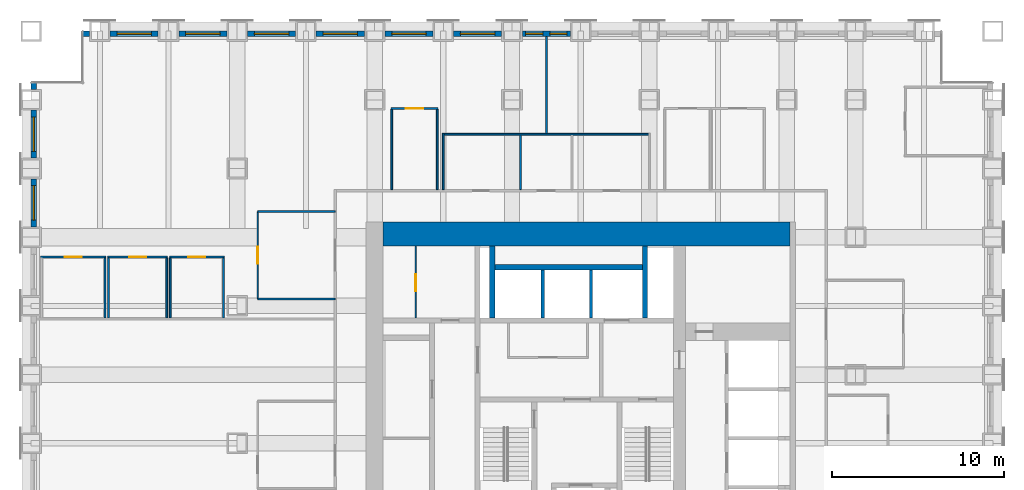
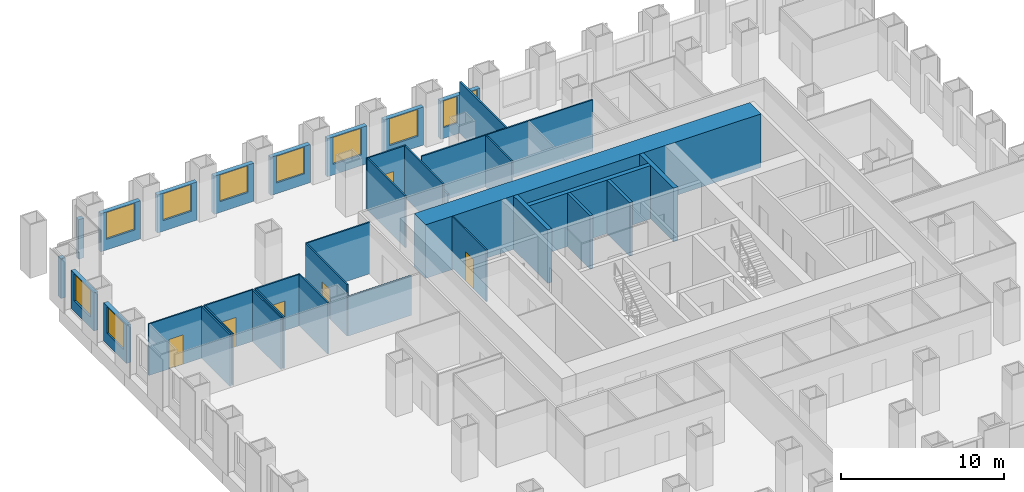
# One storey, part 11 of 14: 36 walls, 10 windows, 6 doors, 16 openings.
"""IFC4 building model written with IfcOpenShell, lengths in metres."""

from ifc_helpers import new_model, si_unit, direction, frame, frame_2d, origin, place, context, subcontext, project, spatial, rectangle, extrude, material, layer, layer_set, type_object, element, fill, save


model = new_model("IFC4")

# Units and contexts
model_context = context("Model", 3, precision=1e-05, world=origin(), true_north=direction((0.0, 1.0)))
body_context = subcontext(model_context, "Body", "Model", "MODEL_VIEW")
ifc_project = project(units=[si_unit("LENGTHUNIT", "METRE"), si_unit("AREAUNIT", "SQUARE_METRE"), si_unit("VOLUMEUNIT", "CUBIC_METRE"), si_unit("PLANEANGLEUNIT", "RADIAN"), si_unit("MASSUNIT", "GRAM", prefix="KILO")], contexts=[model_context])

# Site, building, storey
site_placement = place(None, origin())
site = spatial("IfcSite", under=ifc_project, at=site_placement, CompositionType="ELEMENT")
building_placement = place(site_placement, origin())
building = spatial("IfcBuilding", under=site, at=building_placement, Name="Rimbunsela Tower", CompositionType="ELEMENT")
storey_placement = place(building_placement, frame((0.0, 0.0, 59.0)))
storey = spatial("IfcBuildingStorey", under=building, at=storey_placement, Name="L14", CompositionType="ELEMENT", Elevation=59.0)

# Walls
ifc_material_1 = material(Name="Concrete fc' 80 MPa", Category="concrete")
ifc_layer_1 = layer(ifc_material_1, 0.300048828125)
ifc_layer_set_1 = layer_set([ifc_layer_1], Name="Core internal wall 300")
wall_type_1 = type_object("IfcWallType", Name="Core internal wall 300", PredefinedType="SHEAR", material=ifc_layer_set_1)
for number, where, z_axis, x_axis, name in (
    (1, (24.85009765625, 31.300048828125, -0.14990234375), (0.0, 0.0, 1.0), (0.0, 1.0, 0.0), "Riser wall"),
    (2, (33.75, 31.300048828125, -0.14990234375), (0.0, 0.0, 1.0), (0.0, 1.0, 0.0), "Riser wall"),
):
    element("IfcWall", number, at=place(storey_placement, frame(where, z_axis=z_axis, x_axis=x_axis)), inside=storey, type_object=wall_type_1, Name=name, PredefinedType="SHEAR", context=body_context, shape_type="SweptSolid", body=[
        extrude(rectangle(XDim=4.199951171875, YDim=0.300048828125, at=frame_2d((2.10009765625, 0.0))), origin(), (0.0, 0.0, 1.0), 4.0),
    ])
wall_1_placement = place(storey_placement, frame((25.0, 34.25, -0.14990234375), z_axis=(0.0, 0.0, 1.0), x_axis=(1.0, 0.0, 0.0)))
element("IfcWall", 3, at=wall_1_placement, inside=storey, type_object=wall_type_1, Name="Lift shaft rear north", PredefinedType="SHEAR", context=body_context, shape_type="SweptSolid", body=[
    extrude(rectangle(XDim=8.60009765625, YDim=0.300048828125, at=frame_2d((4.300048828125, 0.0))), origin(), (0.0, 0.0, 1.0), 4.0),
])

# Wall, opening, door
ifc_material_2 = material(Name="Concrete blockwork", Category="masonry")
ifc_layer_2 = layer(ifc_material_2, 0.10009765625)
ifc_layer_set_2 = layer_set([ifc_layer_2], Name="Core room partition 100")
wall_type_2 = type_object("IfcWallType", Name="Core room partition 100", PredefinedType="PARTITIONING", material=ifc_layer_set_2)
wall_2_placement = place(storey_placement, frame((20.39990234375, 31.300048828125, 0.0), z_axis=(0.0, 0.0, 1.0), x_axis=(0.0, 1.0, 0.0)))
wall_2 = element("IfcWall", 4, at=wall_2_placement, inside=storey, type_object=wall_type_2, Name="Housekeeping store wall", PredefinedType="PARTITIONING", context=body_context, shape_type="SweptSolid", body=[
    extrude(rectangle(XDim=4.199951171875, YDim=0.10009765625, at=frame_2d((2.10009765625, 0.0))), origin(), (0.0, 0.0, 1.0), 3.85009765625),
])
opening_1_placement = place(wall_2_placement, frame((1.550048828125, 0.0, 0.0)))
opening_1 = element("IfcOpeningElement", 5, at=opening_1_placement, cuts=wall_2, Name="Opening D19", PredefinedType="OPENING", context=body_context, shape_type="SweptSolid", body=[
    extrude(rectangle(XDim=1.0, YDim=2.199951171875, at=frame_2d((0.5, 1.10009765625))), frame((0.0, 0.06005859375, 0.0), z_axis=(0.0, -1.0, 0.0), x_axis=(1.0, 0.0, 0.0)), (0.0, 0.0, 1.0), 0.1201171875),
])
ifc_material_3 = material(Name="Steel door, fire rated", Category="steel")
door_type_1 = type_object("IfcDoorType", Name="Service door 1000 fire rated", OperationType="SINGLE_SWING_LEFT", PredefinedType="DOOR", material=ifc_material_3)
door_1_placement = place(opening_1_placement, origin())
door_1 = element("IfcDoor", 6, at=door_1_placement, inside=storey, type_object=door_type_1, Name="Housekeeping store door", OperationType="SINGLE_SWING_LEFT", OverallHeight=2.199951171875, OverallWidth=1.0, PredefinedType="DOOR", context=body_context, shape_type="SweptSolid", body=[
    extrude(rectangle(XDim=1.0, YDim=2.199951171875, at=frame_2d((0.5, 1.10009765625))), frame((0.0, 0.02490234375, 0.0), z_axis=(0.0, -1.0, 0.0), x_axis=(1.0, 0.0, 0.0)), (0.0, 0.0, 1.0), 0.050048828125),
])
fill(opening_1, door_1)

# Walls
ifc_material_4 = material(Name="Concrete fc' 80 MPa", Category="concrete")
ifc_layer_3 = layer(ifc_material_4, 1.39990234375)
ifc_layer_set_3 = layer_set([ifc_layer_3], Name="Core wall 1400")
wall_type_3 = type_object("IfcWallType", Name="Core wall 1400", PredefinedType="SHEAR", material=ifc_layer_set_3)
wall_3_placement = place(storey_placement, frame((18.5, 36.199951171875, -0.14990234375), z_axis=(0.0, 0.0, 1.0), x_axis=(1.0, 0.0, 0.0)))
element("IfcWall", 7, at=wall_3_placement, inside=storey, type_object=wall_type_3, Name="Core wall north", PredefinedType="SHEAR", context=body_context, shape_type="SweptSolid", body=[
    extrude(rectangle(XDim=23.699951171875, YDim=1.39990234375, at=frame_2d((11.85009765625, 0.0))), origin(), (0.0, 0.0, 1.0), 4.0),
])
ifc_material_5 = material(Name="Concrete blockwork", Category="masonry")
ifc_layer_4 = layer(ifc_material_5, 0.199951171875)
ifc_layer_set_4 = layer_set([ifc_layer_4], Name="Lift shaft wall 200")
wall_type_4 = type_object("IfcWallType", Name="Lift shaft wall 200", PredefinedType="SOLIDWALL", material=ifc_layer_set_4)
for number, where, z_axis, x_axis, name in (
    (8, (27.800048828125, 31.300048828125, -0.14990234375), (0.0, 0.0, 1.0), (0.0, 1.0, 0.0), "Lift shaft separation"),
    (9, (30.60009765625, 31.300048828125, -0.14990234375), (0.0, 0.0, 1.0), (0.0, 1.0, 0.0), "Lift shaft separation"),
):
    element("IfcWall", number, at=place(storey_placement, frame(where, z_axis=z_axis, x_axis=x_axis)), inside=storey, type_object=wall_type_4, Name=name, PredefinedType="SOLIDWALL", context=body_context, shape_type="SweptSolid", body=[
        extrude(rectangle(XDim=2.800048828125, YDim=0.199951171875, at=frame_2d((1.39990234375, 0.0))), origin(), (0.0, 0.0, 1.0), 4.0),
    ])

# Wall, opening, door
ifc_material_6 = material(Name="Gypsum board on steel studs", Category="steel")
ifc_layer_5 = layer(ifc_material_6, 0.10009765625)
ifc_layer_set_5 = layer_set([ifc_layer_5], Name="Office partition 100")
wall_type_5 = type_object("IfcWallType", Name="Office partition 100", PredefinedType="PARTITIONING", material=ifc_layer_set_5)
wall_4_placement = place(storey_placement, frame((-1.449951171875, 34.85009765625, 0.0), z_axis=(0.0, 0.0, 1.0), x_axis=(1.0, 0.0, 0.0)))
wall_4 = element("IfcWall", 10, at=wall_4_placement, inside=storey, type_object=wall_type_5, Name="Office partition", PredefinedType="PARTITIONING", context=body_context, shape_type="SweptSolid", body=[
    extrude(rectangle(XDim=3.800048828125, YDim=0.10009765625, at=frame_2d((1.89990234375, 0.0))), origin(), (0.0, 0.0, 1.0), 3.85009765625),
])
opening_2_placement = place(wall_4_placement, frame((1.39990234375, 0.0, 0.0)))
opening_2 = element("IfcOpeningElement", 11, at=opening_2_placement, cuts=wall_4, Name="Opening D17", PredefinedType="OPENING", context=body_context, shape_type="SweptSolid", body=[
    extrude(rectangle(XDim=1.0, YDim=2.199951171875, at=frame_2d((0.5, 1.10009765625))), frame((0.0, 0.06005859375, 0.0), z_axis=(0.0, -1.0, 0.0), x_axis=(1.0, 0.0, 0.0)), (0.0, 0.0, 1.0), 0.1201171875),
])
ifc_material_7 = material(Name="Glazed aluminium door", Category="aluminium")
door_type_2 = type_object("IfcDoorType", Name="Meeting room door 1000 glazed", OperationType="SINGLE_SWING_RIGHT", PredefinedType="DOOR", material=ifc_material_7)
door_2_placement = place(opening_2_placement, origin())
door_2 = element("IfcDoor", 12, at=door_2_placement, inside=storey, type_object=door_type_2, Name="Meeting room door", OperationType="SINGLE_SWING_RIGHT", OverallHeight=2.199951171875, OverallWidth=1.0, PredefinedType="DOOR", context=body_context, shape_type="SweptSolid", body=[
    extrude(rectangle(XDim=1.0, YDim=2.199951171875, at=frame_2d((0.5, 1.10009765625))), frame((0.0, 0.02490234375, 0.0), z_axis=(0.0, -1.0, 0.0), x_axis=(1.0, 0.0, 0.0)), (0.0, 0.0, 1.0), 0.050048828125),
])
fill(opening_2, door_2)

wall_5_placement = place(storey_placement, frame((2.449951171875, 34.85009765625, 0.0), z_axis=(0.0, 0.0, 1.0), x_axis=(1.0, 0.0, 0.0)))
wall_5 = element("IfcWall", 13, at=wall_5_placement, inside=storey, type_object=wall_type_5, Name="Office partition", PredefinedType="PARTITIONING", context=body_context, shape_type="SweptSolid", body=[
    extrude(rectangle(XDim=3.5, YDim=0.10009765625, at=frame_2d((1.75, 0.0))), origin(), (0.0, 0.0, 1.0), 3.85009765625),
])
opening_3_placement = place(wall_5_placement, frame((1.25, 0.0, 0.0)))
opening_3 = element("IfcOpeningElement", 14, at=opening_3_placement, cuts=wall_5, Name="Opening D16", PredefinedType="OPENING", context=body_context, shape_type="SweptSolid", body=[
    extrude(rectangle(XDim=1.0, YDim=2.199951171875, at=frame_2d((0.5, 1.10009765625))), frame((0.0, 0.06005859375, 0.0), z_axis=(0.0, -1.0, 0.0), x_axis=(1.0, 0.0, 0.0)), (0.0, 0.0, 1.0), 0.1201171875),
])
ifc_material_8 = material(Name="Timber door", Category="wood")
door_type_3 = type_object("IfcDoorType", Name="Office door 1000", OperationType="SINGLE_SWING_LEFT", PredefinedType="DOOR", material=ifc_material_8)
door_3_placement = place(opening_3_placement, origin())
door_3 = element("IfcDoor", 15, at=door_3_placement, inside=storey, type_object=door_type_3, Name="Office door", OperationType="SINGLE_SWING_LEFT", OverallHeight=2.199951171875, OverallWidth=1.0, PredefinedType="DOOR", context=body_context, shape_type="SweptSolid", body=[
    extrude(rectangle(XDim=1.0, YDim=2.199951171875, at=frame_2d((0.5, 1.10009765625))), frame((0.0, 0.02490234375, 0.0), z_axis=(0.0, -1.0, 0.0), x_axis=(1.0, 0.0, 0.0)), (0.0, 0.0, 1.0), 0.050048828125),
])
fill(opening_3, door_3)

wall_6_placement = place(storey_placement, frame((6.050048828125, 34.85009765625, 0.0), z_axis=(0.0, 0.0, 1.0), x_axis=(1.0, 0.0, 0.0)))
wall_6 = element("IfcWall", 16, at=wall_6_placement, inside=storey, type_object=wall_type_5, Name="Office partition", PredefinedType="PARTITIONING", context=body_context, shape_type="SweptSolid", body=[
    extrude(rectangle(XDim=3.199951171875, YDim=0.10009765625, at=frame_2d((1.60009765625, 0.0))), origin(), (0.0, 0.0, 1.0), 3.85009765625),
])
opening_4_placement = place(wall_6_placement, frame((1.10009765625, 0.0, 0.0)))
opening_4 = element("IfcOpeningElement", 17, at=opening_4_placement, cuts=wall_6, Name="Opening D16", PredefinedType="OPENING", context=body_context, shape_type="SweptSolid", body=[
    extrude(rectangle(XDim=1.0, YDim=2.199951171875, at=frame_2d((0.5, 1.10009765625))), frame((0.0, 0.06005859375, 0.0), z_axis=(0.0, -1.0, 0.0), x_axis=(1.0, 0.0, 0.0)), (0.0, 0.0, 1.0), 0.1201171875),
])
door_4_placement = place(opening_4_placement, origin())
door_4 = element("IfcDoor", 18, at=door_4_placement, inside=storey, type_object=door_type_3, Name="Office door", OperationType="SINGLE_SWING_LEFT", OverallHeight=2.199951171875, OverallWidth=1.0, PredefinedType="DOOR", context=body_context, shape_type="SweptSolid", body=[
    extrude(rectangle(XDim=1.0, YDim=2.199951171875, at=frame_2d((0.5, 1.10009765625))), frame((0.0, 0.02490234375, 0.0), z_axis=(0.0, -1.0, 0.0), x_axis=(1.0, 0.0, 0.0)), (0.0, 0.0, 1.0), 0.050048828125),
])
fill(opening_4, door_4)

wall_7_placement = place(storey_placement, frame((18.949951171875, 43.5, 0.0), z_axis=(0.0, 0.0, 1.0), x_axis=(1.0, 0.0, 0.0)))
wall_7 = element("IfcWall", 19, at=wall_7_placement, inside=storey, type_object=wall_type_5, Name="Office partition", PredefinedType="PARTITIONING", context=body_context, shape_type="SweptSolid", body=[
    extrude(rectangle(XDim=2.75, YDim=0.10009765625, at=frame_2d((1.375, 0.0))), origin(), (0.0, 0.0, 1.0), 3.85009765625),
])
opening_5_placement = place(wall_7_placement, frame((0.875, 0.0, 0.0)))
opening_5 = element("IfcOpeningElement", 20, at=opening_5_placement, cuts=wall_7, Name="Opening D16", PredefinedType="OPENING", context=body_context, shape_type="SweptSolid", body=[
    extrude(rectangle(XDim=1.0, YDim=2.199951171875, at=frame_2d((0.5, 1.10009765625))), frame((0.0, 0.06005859375, 0.0), z_axis=(0.0, -1.0, 0.0), x_axis=(1.0, 0.0, 0.0)), (0.0, 0.0, 1.0), 0.1201171875),
])
door_5_placement = place(opening_5_placement, origin())
door_5 = element("IfcDoor", 21, at=door_5_placement, inside=storey, type_object=door_type_3, Name="Office door", OperationType="SINGLE_SWING_LEFT", OverallHeight=2.199951171875, OverallWidth=1.0, PredefinedType="DOOR", context=body_context, shape_type="SweptSolid", body=[
    extrude(rectangle(XDim=1.0, YDim=2.199951171875, at=frame_2d((0.5, 1.10009765625))), frame((0.0, 0.02490234375, 0.0), z_axis=(0.0, -1.0, 0.0), x_axis=(1.0, 0.0, 0.0)), (0.0, 0.0, 1.0), 0.050048828125),
])
fill(opening_5, door_5)

# Walls
for number, where, z_axis, x_axis, name in (
    (22, (2.300048828125, 31.31005859375, 0.0), (0.0, 0.0, 1.0), (0.0, 1.0, 0.0), "Office partition"),
    (23, (2.5, 31.31005859375, 0.0), (0.0, 0.0, 1.0), (0.0, 1.0, 0.0), "Office partition"),
    (24, (5.89990234375, 31.31005859375, 0.0), (0.0, 0.0, 1.0), (0.0, 1.0, 0.0), "Office partition"),
    (25, (6.10009765625, 31.31005859375, 0.0), (0.0, 0.0, 1.0), (0.0, 1.0, 0.0), "Office partition"),
    (26, (9.199951171875, 31.31005859375, 0.0), (0.0, 0.0, 1.0), (0.0, 1.0, 0.0), "Office partition"),
):
    element("IfcWall", number, at=place(storey_placement, frame(where, z_axis=z_axis, x_axis=x_axis)), inside=storey, type_object=wall_type_5, Name=name, PredefinedType="PARTITIONING", context=body_context, shape_type="SweptSolid", body=[
        extrude(rectangle(XDim=3.489990234375, YDim=0.10009765625, at=frame_2d((1.7451171875, 0.0))), origin(), (0.0, 0.0, 1.0), 3.85009765625),
    ])
for number, where, z_axis, x_axis, name in (
    (27, (19.0, 38.77490234375, 0.0), (0.0, 0.0, 1.0), (0.0, 1.0, 0.0), "Office partition"),
    (28, (21.64990234375, 38.77490234375, 0.0), (0.0, 0.0, 1.0), (0.0, 1.0, 0.0), "Office partition"),
):
    element("IfcWall", number, at=place(storey_placement, frame(where, z_axis=z_axis, x_axis=x_axis)), inside=storey, type_object=wall_type_5, Name=name, PredefinedType="PARTITIONING", context=body_context, shape_type="SweptSolid", body=[
        extrude(rectangle(XDim=4.675048828125, YDim=0.10009765625, at=frame_2d((2.33740234375, 0.0))), origin(), (0.0, 0.0, 1.0), 3.85009765625),
    ])
wall_8_placement = place(storey_placement, frame((15.699951171875, 37.5, 0.0), z_axis=(0.0, 0.0, 1.0), x_axis=(-1.0, 0.0, 0.0)))
element("IfcWall", 29, at=wall_8_placement, inside=storey, type_object=wall_type_5, Name="Office partition", PredefinedType="PARTITIONING", context=body_context, shape_type="SweptSolid", body=[
    extrude(rectangle(XDim=4.5, YDim=0.10009765625, at=frame_2d((2.25, 0.0))), origin(), (0.0, 0.0, 1.0), 3.85009765625),
])

# Wall, opening, door
wall_9_placement = place(storey_placement, frame((11.199951171875, 37.5, 0.0), z_axis=(0.0, 0.0, 1.0), x_axis=(0.0, -1.0, 0.0)))
wall_9 = element("IfcWall", 30, at=wall_9_placement, inside=storey, type_object=wall_type_5, Name="Office partition", PredefinedType="PARTITIONING", context=body_context, shape_type="SweptSolid", body=[
    extrude(rectangle(XDim=5.10009765625, YDim=0.10009765625, at=frame_2d((2.550048828125, 0.0))), origin(), (0.0, 0.0, 1.0), 3.85009765625),
])
opening_6_placement = place(wall_9_placement, frame((2.050048828125, 0.0, 0.0)))
opening_6 = element("IfcOpeningElement", 31, at=opening_6_placement, cuts=wall_9, Name="Opening D17", PredefinedType="OPENING", context=body_context, shape_type="SweptSolid", body=[
    extrude(rectangle(XDim=1.0, YDim=2.199951171875, at=frame_2d((0.5, 1.10009765625))), frame((0.0, 0.06005859375, 0.0), z_axis=(0.0, -1.0, 0.0), x_axis=(1.0, 0.0, 0.0)), (0.0, 0.0, 1.0), 0.1201171875),
])
door_6_placement = place(opening_6_placement, origin())
door_6 = element("IfcDoor", 32, at=door_6_placement, inside=storey, type_object=door_type_2, Name="Reception door", OperationType="SINGLE_SWING_RIGHT", OverallHeight=2.199951171875, OverallWidth=1.0, PredefinedType="DOOR", context=body_context, shape_type="SweptSolid", body=[
    extrude(rectangle(XDim=1.0, YDim=2.199951171875, at=frame_2d((0.5, 1.10009765625))), frame((0.0, 0.02490234375, 0.0), z_axis=(0.0, -1.0, 0.0), x_axis=(1.0, 0.0, 0.0)), (0.0, 0.0, 1.0), 0.050048828125),
])
fill(opening_6, door_6)

# Walls
wall_10_placement = place(storey_placement, frame((11.199951171875, 32.39990234375, 0.0), z_axis=(0.0, 0.0, 1.0), x_axis=(1.0, 0.0, 0.0)))
element("IfcWall", 33, at=wall_10_placement, inside=storey, type_object=wall_type_5, Name="Office partition", PredefinedType="PARTITIONING", context=body_context, shape_type="SweptSolid", body=[
    extrude(rectangle(XDim=4.5, YDim=0.10009765625, at=frame_2d((2.25, 0.0))), origin(), (0.0, 0.0, 1.0), 2.949951171875),
])
ifc_material_9 = material(Name="Precast concrete fc' 35 MPa", Category="concrete")
ifc_layer_6 = layer(ifc_material_9, 0.300048828125)
ifc_layer_set_6 = layer_set([ifc_layer_6], Name="Precast concrete fc' 35 MPa")
wall_type_6 = type_object("IfcWallType", Name="Precast facade panel 300", PredefinedType="ELEMENTEDWALL", material=ifc_layer_set_6)
wall_11_placement = place(storey_placement, frame((1.39990234375, 47.85009765625, 0.0), z_axis=(0.0, 0.0, 1.0), x_axis=(-1.0, 0.0, 0.0)))
element("IfcWall", 34, at=wall_11_placement, inside=storey, type_object=wall_type_6, Name="Facade panel N L14", PredefinedType="ELEMENTEDWALL", context=body_context, shape_type="SweptSolid", body=[
    extrude(rectangle(XDim=0.369873046875, YDim=0.300048828125, at=frame_2d((0.18505859375, 0.0))), origin(), (0.0, 0.0, 1.0), 2.949951171875),
])

# Wall, opening, window
wall_12_placement = place(storey_placement, frame((5.39990234375, 47.85009765625, 0.0), z_axis=(0.0, 0.0, 1.0), x_axis=(-1.0, 0.0, 0.0)))
wall_12 = element("IfcWall", 35, at=wall_12_placement, inside=storey, type_object=wall_type_6, Name="Facade panel N L14", PredefinedType="ELEMENTEDWALL", context=body_context, shape_type="SweptSolid", body=[
    extrude(rectangle(XDim=2.7998046875, YDim=0.300048828125, at=frame_2d((1.39990234375, 0.0))), origin(), (0.0, 0.0, 1.0), 2.85009765625),
])
opening_7_placement = place(wall_12_placement, frame((0.39990234375, 0.0, 0.800048828125)))
opening_7 = element("IfcOpeningElement", 36, at=opening_7_placement, cuts=wall_12, Name="Opening W1", PredefinedType="OPENING", context=body_context, shape_type="SweptSolid", body=[
    extrude(rectangle(XDim=2.0, YDim=2.0, at=frame_2d((1.0, 1.0))), frame((0.0, 0.159912109375, 0.0), z_axis=(0.0, -1.0, 0.0), x_axis=(1.0, 0.0, 0.0)), (0.0, 0.0, 1.0), 0.320068359375),
])
ifc_material_10 = material(Name="Clear glass in aluminium frame", Category="aluminium")
window_type_1 = type_object("IfcWindowType", Name="Window W1 2000x2000", PartitioningType="DOUBLE_PANEL_VERTICAL", PredefinedType="WINDOW", material=ifc_material_10)
window_1_placement = place(opening_7_placement, origin())
window_1 = element("IfcWindow", 37, at=window_1_placement, inside=storey, type_object=window_type_1, Name="Window L14", OverallHeight=2.0, OverallWidth=2.0, PartitioningType="SINGLE_PANEL", PredefinedType="WINDOW", context=body_context, shape_type="SweptSolid", body=[
    extrude(rectangle(XDim=2.0, YDim=2.0, at=frame_2d((1.0, 1.0))), frame((0.0, 0.030029296875, 0.0), z_axis=(0.0, -1.0, 0.0), x_axis=(1.0, 0.0, 0.0)), (0.0, 0.0, 1.0), 0.06005859375),
])
fill(opening_7, window_1)

wall_13_placement = place(storey_placement, frame((9.39990234375, 47.85009765625, 0.0), z_axis=(0.0, 0.0, 1.0), x_axis=(-1.0, 0.0, 0.0)))
wall_13 = element("IfcWall", 38, at=wall_13_placement, inside=storey, type_object=wall_type_6, Name="Facade panel N L14", PredefinedType="ELEMENTEDWALL", context=body_context, shape_type="SweptSolid", body=[
    extrude(rectangle(XDim=2.7998046875, YDim=0.300048828125, at=frame_2d((1.39990234375, 0.0))), origin(), (0.0, 0.0, 1.0), 2.85009765625),
])
opening_8_placement = place(wall_13_placement, frame((0.39990234375, 0.0, 0.800048828125)))
opening_8 = element("IfcOpeningElement", 39, at=opening_8_placement, cuts=wall_13, Name="Opening W1", PredefinedType="OPENING", context=body_context, shape_type="SweptSolid", body=[
    extrude(rectangle(XDim=2.0, YDim=2.0, at=frame_2d((1.0, 1.0))), frame((0.0, 0.159912109375, 0.0), z_axis=(0.0, -1.0, 0.0), x_axis=(1.0, 0.0, 0.0)), (0.0, 0.0, 1.0), 0.320068359375),
])
window_2_placement = place(opening_8_placement, origin())
window_2 = element("IfcWindow", 40, at=window_2_placement, inside=storey, type_object=window_type_1, Name="Window L14", OverallHeight=2.0, OverallWidth=2.0, PartitioningType="SINGLE_PANEL", PredefinedType="WINDOW", context=body_context, shape_type="SweptSolid", body=[
    extrude(rectangle(XDim=2.0, YDim=2.0, at=frame_2d((1.0, 1.0))), frame((0.0, 0.030029296875, 0.0), z_axis=(0.0, -1.0, 0.0), x_axis=(1.0, 0.0, 0.0)), (0.0, 0.0, 1.0), 0.06005859375),
])
fill(opening_8, window_2)

wall_14_placement = place(storey_placement, frame((13.39990234375, 47.85009765625, 0.0), z_axis=(0.0, 0.0, 1.0), x_axis=(-1.0, 0.0, 0.0)))
wall_14 = element("IfcWall", 41, at=wall_14_placement, inside=storey, type_object=wall_type_6, Name="Facade panel N L14", PredefinedType="ELEMENTEDWALL", context=body_context, shape_type="SweptSolid", body=[
    extrude(rectangle(XDim=2.7998046875, YDim=0.300048828125, at=frame_2d((1.39990234375, 0.0))), origin(), (0.0, 0.0, 1.0), 2.85009765625),
])
opening_9_placement = place(wall_14_placement, frame((0.39990234375, 0.0, 0.800048828125)))
opening_9 = element("IfcOpeningElement", 42, at=opening_9_placement, cuts=wall_14, Name="Opening W1", PredefinedType="OPENING", context=body_context, shape_type="SweptSolid", body=[
    extrude(rectangle(XDim=2.0, YDim=2.0, at=frame_2d((1.0, 1.0))), frame((0.0, 0.159912109375, 0.0), z_axis=(0.0, -1.0, 0.0), x_axis=(1.0, 0.0, 0.0)), (0.0, 0.0, 1.0), 0.320068359375),
])
window_3_placement = place(opening_9_placement, origin())
window_3 = element("IfcWindow", 43, at=window_3_placement, inside=storey, type_object=window_type_1, Name="Window L14", OverallHeight=2.0, OverallWidth=2.0, PartitioningType="SINGLE_PANEL", PredefinedType="WINDOW", context=body_context, shape_type="SweptSolid", body=[
    extrude(rectangle(XDim=2.0, YDim=2.0, at=frame_2d((1.0, 1.0))), frame((0.0, 0.030029296875, 0.0), z_axis=(0.0, -1.0, 0.0), x_axis=(1.0, 0.0, 0.0)), (0.0, 0.0, 1.0), 0.06005859375),
])
fill(opening_9, window_3)

wall_15_placement = place(storey_placement, frame((17.39990234375, 47.85009765625, 0.0), z_axis=(0.0, 0.0, 1.0), x_axis=(-1.0, 0.0, 0.0)))
wall_15 = element("IfcWall", 44, at=wall_15_placement, inside=storey, type_object=wall_type_6, Name="Facade panel N L14", PredefinedType="ELEMENTEDWALL", context=body_context, shape_type="SweptSolid", body=[
    extrude(rectangle(XDim=2.7998046875, YDim=0.300048828125, at=frame_2d((1.39990234375, 0.0))), origin(), (0.0, 0.0, 1.0), 2.85009765625),
])
opening_10_placement = place(wall_15_placement, frame((0.39990234375, 0.0, 0.800048828125)))
opening_10 = element("IfcOpeningElement", 45, at=opening_10_placement, cuts=wall_15, Name="Opening W1", PredefinedType="OPENING", context=body_context, shape_type="SweptSolid", body=[
    extrude(rectangle(XDim=2.0, YDim=2.0, at=frame_2d((1.0, 1.0))), frame((0.0, 0.159912109375, 0.0), z_axis=(0.0, -1.0, 0.0), x_axis=(1.0, 0.0, 0.0)), (0.0, 0.0, 1.0), 0.320068359375),
])
window_4_placement = place(opening_10_placement, origin())
window_4 = element("IfcWindow", 46, at=window_4_placement, inside=storey, type_object=window_type_1, Name="Window L14", OverallHeight=2.0, OverallWidth=2.0, PartitioningType="SINGLE_PANEL", PredefinedType="WINDOW", context=body_context, shape_type="SweptSolid", body=[
    extrude(rectangle(XDim=2.0, YDim=2.0, at=frame_2d((1.0, 1.0))), frame((0.0, 0.030029296875, 0.0), z_axis=(0.0, -1.0, 0.0), x_axis=(1.0, 0.0, 0.0)), (0.0, 0.0, 1.0), 0.06005859375),
])
fill(opening_10, window_4)

wall_16_placement = place(storey_placement, frame((21.39990234375, 47.85009765625, 0.0), z_axis=(0.0, 0.0, 1.0), x_axis=(-1.0, 0.0, 0.0)))
wall_16 = element("IfcWall", 47, at=wall_16_placement, inside=storey, type_object=wall_type_6, Name="Facade panel N L14", PredefinedType="ELEMENTEDWALL", context=body_context, shape_type="SweptSolid", body=[
    extrude(rectangle(XDim=2.7998046875, YDim=0.300048828125, at=frame_2d((1.39990234375, 0.0))), origin(), (0.0, 0.0, 1.0), 2.85009765625),
])
opening_11_placement = place(wall_16_placement, frame((0.39990234375, 0.0, 0.800048828125)))
opening_11 = element("IfcOpeningElement", 48, at=opening_11_placement, cuts=wall_16, Name="Opening W1", PredefinedType="OPENING", context=body_context, shape_type="SweptSolid", body=[
    extrude(rectangle(XDim=2.0, YDim=2.0, at=frame_2d((1.0, 1.0))), frame((0.0, 0.159912109375, 0.0), z_axis=(0.0, -1.0, 0.0), x_axis=(1.0, 0.0, 0.0)), (0.0, 0.0, 1.0), 0.320068359375),
])
window_5_placement = place(opening_11_placement, origin())
window_5 = element("IfcWindow", 49, at=window_5_placement, inside=storey, type_object=window_type_1, Name="Window L14", OverallHeight=2.0, OverallWidth=2.0, PartitioningType="SINGLE_PANEL", PredefinedType="WINDOW", context=body_context, shape_type="SweptSolid", body=[
    extrude(rectangle(XDim=2.0, YDim=2.0, at=frame_2d((1.0, 1.0))), frame((0.0, 0.030029296875, 0.0), z_axis=(0.0, -1.0, 0.0), x_axis=(1.0, 0.0, 0.0)), (0.0, 0.0, 1.0), 0.06005859375),
])
fill(opening_11, window_5)

wall_17_placement = place(storey_placement, frame((25.39990234375, 47.85009765625, 0.0), z_axis=(0.0, 0.0, 1.0), x_axis=(-1.0, 0.0, 0.0)))
wall_17 = element("IfcWall", 50, at=wall_17_placement, inside=storey, type_object=wall_type_6, Name="Facade panel N L14", PredefinedType="ELEMENTEDWALL", context=body_context, shape_type="SweptSolid", body=[
    extrude(rectangle(XDim=2.7998046875, YDim=0.300048828125, at=frame_2d((1.39990234375, 0.0))), origin(), (0.0, 0.0, 1.0), 2.85009765625),
])
opening_12_placement = place(wall_17_placement, frame((0.39990234375, 0.0, 0.800048828125)))
opening_12 = element("IfcOpeningElement", 51, at=opening_12_placement, cuts=wall_17, Name="Opening W1", PredefinedType="OPENING", context=body_context, shape_type="SweptSolid", body=[
    extrude(rectangle(XDim=2.0, YDim=2.0, at=frame_2d((1.0, 1.0))), frame((0.0, 0.159912109375, 0.0), z_axis=(0.0, -1.0, 0.0), x_axis=(1.0, 0.0, 0.0)), (0.0, 0.0, 1.0), 0.320068359375),
])
window_6_placement = place(opening_12_placement, origin())
window_6 = element("IfcWindow", 52, at=window_6_placement, inside=storey, type_object=window_type_1, Name="Window L14", OverallHeight=2.0, OverallWidth=2.0, PartitioningType="SINGLE_PANEL", PredefinedType="WINDOW", context=body_context, shape_type="SweptSolid", body=[
    extrude(rectangle(XDim=2.0, YDim=2.0, at=frame_2d((1.0, 1.0))), frame((0.0, 0.030029296875, 0.0), z_axis=(0.0, -1.0, 0.0), x_axis=(1.0, 0.0, 0.0)), (0.0, 0.0, 1.0), 0.06005859375),
])
fill(opening_12, window_6)

# Wall, openings, windows
wall_18_placement = place(storey_placement, frame((29.39990234375, 47.85009765625, 0.0), z_axis=(0.0, 0.0, 1.0), x_axis=(-1.0, 0.0, 0.0)))
wall_18 = element("IfcWall", 53, at=wall_18_placement, inside=storey, type_object=wall_type_6, Name="Facade panel N L14", PredefinedType="ELEMENTEDWALL", context=body_context, shape_type="SweptSolid", body=[
    extrude(rectangle(XDim=2.7998046875, YDim=0.300048828125, at=frame_2d((1.39990234375, 0.0))), origin(), (0.0, 0.0, 1.0), 2.85009765625),
])
opening_13_placement = place(wall_18_placement, frame((1.60009765625, 0.0, 0.800048828125)))
opening_13 = element("IfcOpeningElement", 54, at=opening_13_placement, cuts=wall_18, Name="Opening W5", PredefinedType="OPENING", context=body_context, shape_type="SweptSolid", body=[
    extrude(rectangle(XDim=1.0, YDim=2.0, at=frame_2d((0.5, 1.0))), frame((0.0, 0.159912109375, 0.0), z_axis=(0.0, -1.0, 0.0), x_axis=(1.0, 0.0, 0.0)), (0.0, 0.0, 1.0), 0.320068359375),
])
opening_14_placement = place(wall_18_placement, frame((0.199951171875, 0.0, 0.800048828125)))
opening_14 = element("IfcOpeningElement", 55, at=opening_14_placement, cuts=wall_18, Name="Opening W5", PredefinedType="OPENING", context=body_context, shape_type="SweptSolid", body=[
    extrude(rectangle(XDim=1.0, YDim=2.0, at=frame_2d((0.5, 1.0))), frame((0.0, 0.159912109375, 0.0), z_axis=(0.0, -1.0, 0.0), x_axis=(1.0, 0.0, 0.0)), (0.0, 0.0, 1.0), 0.320068359375),
])
ifc_material_11 = material(Name="Clear glass in aluminium frame", Category="aluminium")
window_type_2 = type_object("IfcWindowType", Name="Window W5 1000x2000", PartitioningType="SINGLE_PANEL", PredefinedType="WINDOW", material=ifc_material_11)
window_7_placement = place(opening_13_placement, origin())
window_7 = element("IfcWindow", 56, at=window_7_placement, inside=storey, type_object=window_type_2, Name="Window L14", OverallHeight=2.0, OverallWidth=1.0, PartitioningType="SINGLE_PANEL", PredefinedType="WINDOW", context=body_context, shape_type="SweptSolid", body=[
    extrude(rectangle(XDim=1.0, YDim=2.0, at=frame_2d((0.5, 1.0))), frame((0.0, 0.030029296875, 0.0), z_axis=(0.0, -1.0, 0.0), x_axis=(1.0, 0.0, 0.0)), (0.0, 0.0, 1.0), 0.06005859375),
])
fill(opening_13, window_7)
window_8_placement = place(opening_14_placement, origin())
window_8 = element("IfcWindow", 57, at=window_8_placement, inside=storey, type_object=window_type_2, Name="Window L14", OverallHeight=2.0, OverallWidth=1.0, PartitioningType="SINGLE_PANEL", PredefinedType="WINDOW", context=body_context, shape_type="SweptSolid", body=[
    extrude(rectangle(XDim=1.0, YDim=2.0, at=frame_2d((0.5, 1.0))), frame((0.0, 0.030029296875, 0.0), z_axis=(0.0, -1.0, 0.0), x_axis=(1.0, 0.0, 0.0)), (0.0, 0.0, 1.0), 0.06005859375),
])
fill(opening_14, window_8)

# Wall, opening, window
wall_19_placement = place(storey_placement, frame((-1.85009765625, 39.39990234375, 0.0), z_axis=(0.0, 0.0, 1.0), x_axis=(0.0, -1.0, 0.0)))
wall_19 = element("IfcWall", 58, at=wall_19_placement, inside=storey, type_object=wall_type_6, Name="Facade panel W L14", PredefinedType="ELEMENTEDWALL", context=body_context, shape_type="SweptSolid", body=[
    extrude(rectangle(XDim=2.7998046875, YDim=0.300048828125, at=frame_2d((1.39990234375, 0.0))), origin(), (0.0, 0.0, 1.0), 2.85009765625),
])
opening_15_placement = place(wall_19_placement, frame((0.39990234375, 0.0, 0.800048828125)))
opening_15 = element("IfcOpeningElement", 59, at=opening_15_placement, cuts=wall_19, Name="Opening W1", PredefinedType="OPENING", context=body_context, shape_type="SweptSolid", body=[
    extrude(rectangle(XDim=2.0, YDim=2.0, at=frame_2d((1.0, 1.0))), frame((0.0, 0.159912109375, 0.0), z_axis=(0.0, -1.0, 0.0), x_axis=(1.0, 0.0, 0.0)), (0.0, 0.0, 1.0), 0.320068359375),
])
window_9_placement = place(opening_15_placement, origin())
window_9 = element("IfcWindow", 60, at=window_9_placement, inside=storey, type_object=window_type_1, Name="Window L14", OverallHeight=2.0, OverallWidth=2.0, PartitioningType="SINGLE_PANEL", PredefinedType="WINDOW", context=body_context, shape_type="SweptSolid", body=[
    extrude(rectangle(XDim=2.0, YDim=2.0, at=frame_2d((1.0, 1.0))), frame((0.0, 0.030029296875, 0.0), z_axis=(0.0, -1.0, 0.0), x_axis=(1.0, 0.0, 0.0)), (0.0, 0.0, 1.0), 0.06005859375),
])
fill(opening_15, window_9)

wall_20_placement = place(storey_placement, frame((-1.85009765625, 43.39990234375, 0.0), z_axis=(0.0, 0.0, 1.0), x_axis=(0.0, -1.0, 0.0)))
wall_20 = element("IfcWall", 61, at=wall_20_placement, inside=storey, type_object=wall_type_6, Name="Facade panel W L14", PredefinedType="ELEMENTEDWALL", context=body_context, shape_type="SweptSolid", body=[
    extrude(rectangle(XDim=2.7998046875, YDim=0.300048828125, at=frame_2d((1.39990234375, 0.0))), origin(), (0.0, 0.0, 1.0), 2.85009765625),
])
opening_16_placement = place(wall_20_placement, frame((0.39990234375, 0.0, 0.800048828125)))
opening_16 = element("IfcOpeningElement", 62, at=opening_16_placement, cuts=wall_20, Name="Opening W1", PredefinedType="OPENING", context=body_context, shape_type="SweptSolid", body=[
    extrude(rectangle(XDim=2.0, YDim=2.0, at=frame_2d((1.0, 1.0))), frame((0.0, 0.159912109375, 0.0), z_axis=(0.0, -1.0, 0.0), x_axis=(1.0, 0.0, 0.0)), (0.0, 0.0, 1.0), 0.320068359375),
])
window_10_placement = place(opening_16_placement, origin())
window_10 = element("IfcWindow", 63, at=window_10_placement, inside=storey, type_object=window_type_1, Name="Window L14", OverallHeight=2.0, OverallWidth=2.0, PartitioningType="SINGLE_PANEL", PredefinedType="WINDOW", context=body_context, shape_type="SweptSolid", body=[
    extrude(rectangle(XDim=2.0, YDim=2.0, at=frame_2d((1.0, 1.0))), frame((0.0, 0.030029296875, 0.0), z_axis=(0.0, -1.0, 0.0), x_axis=(1.0, 0.0, 0.0)), (0.0, 0.0, 1.0), 0.06005859375),
])
fill(opening_16, window_10)

# Walls
wall_21_placement = place(storey_placement, frame((-1.85009765625, 44.969970703125, 0.0), z_axis=(0.0, 0.0, 1.0), x_axis=(0.0, -1.0, 0.0)))
element("IfcWall", 64, at=wall_21_placement, inside=storey, type_object=wall_type_6, Name="Facade panel W L14", PredefinedType="ELEMENTEDWALL", context=body_context, shape_type="SweptSolid", body=[
    extrude(rectangle(XDim=0.369873046875, YDim=0.300048828125, at=frame_2d((0.18505859375, 0.0))), origin(), (0.0, 0.0, 1.0), 2.949951171875),
])
ifc_material_12 = material(Name="Gypsum board on steel studs", Category="steel")
ifc_layer_7 = layer(ifc_material_12, 0.1201171875)
ifc_layer_set_7 = layer_set([ifc_layer_7], Name="Tenancy partition 120")
wall_type_7 = type_object("IfcWallType", Name="Tenancy partition 120", PredefinedType="PARTITIONING", material=ifc_layer_set_7)
wall_22_placement = place(storey_placement, frame((28.0, 42.050048828125, 0.0), z_axis=(0.0, 0.0, 1.0), x_axis=(0.0, 1.0, 0.0)))
element("IfcWall", 65, at=wall_22_placement, inside=storey, type_object=wall_type_7, Name="Tenancy partition north", PredefinedType="PARTITIONING", context=body_context, shape_type="SweptSolid", body=[
    extrude(rectangle(XDim=5.64990234375, YDim=0.1201171875, at=frame_2d((2.824951171875, 0.0))), origin(), (0.0, 0.0, 1.0), 3.85009765625),
])
ifc_material_13 = material(Name="Concrete blockwork", Category="masonry")
ifc_layer_8 = layer(ifc_material_13, 0.10009765625)
ifc_layer_set_8 = layer_set([ifc_layer_8], Name="Toilet partition 100")
wall_type_8 = type_object("IfcWallType", Name="Toilet partition 100", PredefinedType="PARTITIONING", material=ifc_layer_set_8)
wall_23_placement = place(storey_placement, frame((22.0, 38.77490234375, 0.0), z_axis=(0.0, 0.0, 1.0), x_axis=(0.0, 1.0, 0.0)))
element("IfcWall", 66, at=wall_23_placement, inside=storey, type_object=wall_type_8, Name="Toilet block wall west", PredefinedType="PARTITIONING", context=body_context, shape_type="SweptSolid", body=[
    extrude(rectangle(XDim=3.275146484375, YDim=0.10009765625, at=frame_2d((1.6376953125, 0.0))), origin(), (0.0, 0.0, 1.0), 2.949951171875),
])
wall_24_placement = place(storey_placement, frame((21.949951171875, 42.0, 0.0), z_axis=(0.0, 0.0, 1.0), x_axis=(1.0, 0.0, 0.0)))
element("IfcWall", 67, at=wall_24_placement, inside=storey, type_object=wall_type_8, Name="Toilet block wall north", PredefinedType="PARTITIONING", context=body_context, shape_type="SweptSolid", body=[
    extrude(rectangle(XDim=12.10009765625, YDim=0.10009765625, at=frame_2d((6.050048828125, 0.0))), origin(), (0.0, 0.0, 1.0), 3.85009765625),
])
wall_25_placement = place(storey_placement, frame((26.5, 38.77490234375, 0.0), z_axis=(0.0, 0.0, 1.0), x_axis=(0.0, 1.0, 0.0)))
element("IfcWall", 68, at=wall_25_placement, inside=storey, type_object=wall_type_8, Name="Toilet partition", PredefinedType="PARTITIONING", context=body_context, shape_type="SweptSolid", body=[
    extrude(rectangle(XDim=3.175048828125, YDim=0.10009765625, at=frame_2d((1.58740234375, 0.0))), origin(), (0.0, 0.0, 1.0), 3.85009765625),
])

save(model, "model.ifc")
